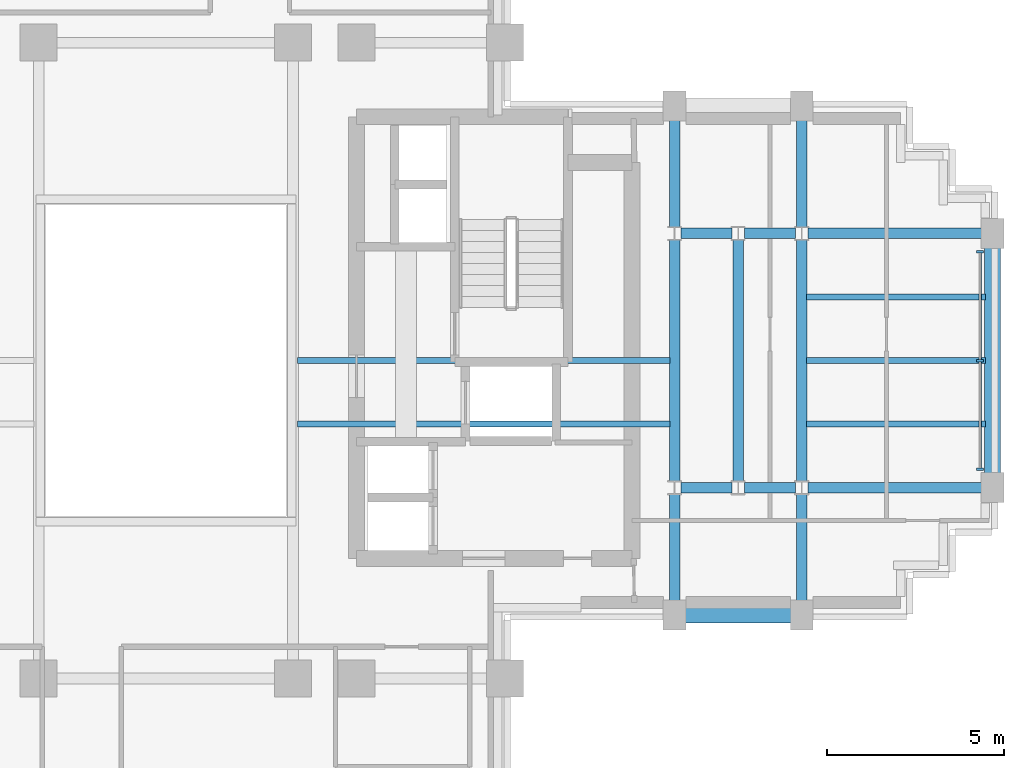
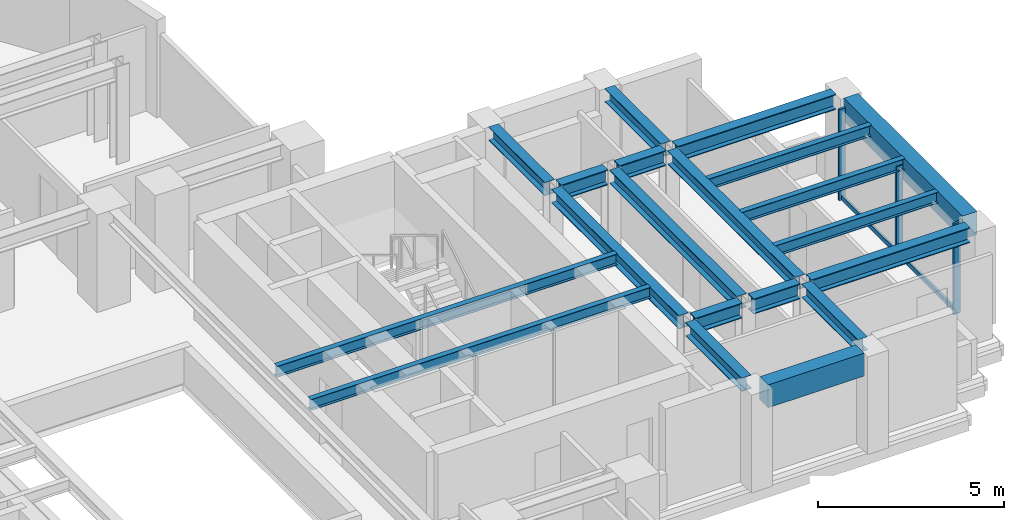
# One storey, part 5 of 14: 20 beams, 5 members, 1 element without a shape of its own.
"""IFC4 building model written with IfcOpenShell, lengths in metres."""

import ifcopenshell
import ifcopenshell.guid

model = None  # the IFC model being written
_history = None  # IfcOwnerHistory: only IFC2X3 demands one
_inside = {}  # id of a spatial element -> (the spatial element, [elements in it])
_under = {}  # id of a project, library or spatial element -> (it, [spatial elements below it])
_declared = {}  # id of a project -> (the project, [libraries it declares])
_typed = {}  # id of a type object -> (the type object, [elements of that type])
_made_of = {}  # id of a material, layer set ... -> (it, [elements and type objects made of it])


def new_model(schema):
    """Start an empty IFC model of exactly this schema.

    Asked for "IFC4X3", IfcOpenShell would pick the latest addendum, in which some entities
    have other attributes; the version numbers below select the first issue.
    IFC2X3 requires an IfcOwnerHistory on every rooted entity: one is made here for all.
    """
    global model, _history
    if schema == "IFC4X3":
        model = ifcopenshell.file(schema_version=(4, 3, 0, 0))
    else:
        model = ifcopenshell.file(schema=schema)
    _inside.clear()
    _under.clear()
    _declared.clear()
    _typed.clear()
    _made_of.clear()
    _history = None
    if model.schema == "IFC2X3":
        org = make("IfcOrganization", Name="unknown")
        user = make(
            "IfcPersonAndOrganization",
            ThePerson=make("IfcPerson", FamilyName="unknown"),
            TheOrganization=org,
        )
        app = make(
            "IfcApplication",
            ApplicationDeveloper=org,
            Version="unknown",
            ApplicationFullName="unknown",
            ApplicationIdentifier="unknown",
        )
        _history = make(
            "IfcOwnerHistory",
            OwningUser=user,
            OwningApplication=app,
            ChangeAction="ADDED",
            CreationDate=0,
        )
    return model


def make(cls, **values):
    """One entity of the class cls with the attributes given. An attribute that is None is left unset."""
    return model.create_entity(
        cls, **{name: value for name, value in values.items() if value is not None}
    )


def rooted(cls, **values):
    """An entity with a GlobalId (a new one), such as an element, a storey or a relation."""
    return make(cls, GlobalId=ifcopenshell.guid.new(), OwnerHistory=_history, **values)


def si_unit(unit_type, name, prefix=None):
    """IfcSIUnit, for example si_unit("LENGTHUNIT", "METRE", prefix="MILLI")."""
    return make("IfcSIUnit", UnitType=unit_type, Prefix=prefix, Name=name)


def assignment(units):
    """IfcUnitAssignment: the units of a project."""
    return None if units is None else make("IfcUnitAssignment", Units=units)


def point(xyz):
    """IfcCartesianPoint."""
    return None if xyz is None else make("IfcCartesianPoint", Coordinates=xyz)


def direction(xyz):
    """IfcDirection."""
    return None if xyz is None else make("IfcDirection", DirectionRatios=xyz)


def frame(location, z_axis=None, x_axis=None):
    """IfcAxis2Placement3D, a coordinate frame: its origin and axes. An axis left out is left unset."""
    return make(
        "IfcAxis2Placement3D",
        Location=point(location),
        Axis=direction(z_axis),
        RefDirection=direction(x_axis),
    )


def frame_2d(location, x_axis=None):
    """IfcAxis2Placement2D, a coordinate frame in the plane: its origin and x axis."""
    return make(
        "IfcAxis2Placement2D", Location=point(location), RefDirection=direction(x_axis)
    )


def origin():
    """The frame at (0, 0, 0) with its axes left unset."""
    return frame((0.0, 0.0, 0.0))


def origin_2d():
    """The frame at (0, 0) in the plane with its x axis left unset."""
    return frame_2d((0.0, 0.0))


def place(relative_to, where):
    """IfcLocalPlacement: puts the frame where relative to a parent placement (None: the world)."""
    return make(
        "IfcLocalPlacement", PlacementRelTo=relative_to, RelativePlacement=where
    )


def context(
    kind, dimensions, precision=None, world=None, true_north=None, identifier=None
):
    """IfcGeometricRepresentationContext, for example the 3D "Model" context."""
    return make(
        "IfcGeometricRepresentationContext",
        ContextIdentifier=identifier,
        ContextType=kind,
        CoordinateSpaceDimension=dimensions,
        Precision=precision,
        WorldCoordinateSystem=world,
        TrueNorth=true_north,
    )


def subcontext(parent, identifier, kind, view, scale=None):
    """IfcGeometricRepresentationSubContext, for example "Body" below "Model"."""
    return make(
        "IfcGeometricRepresentationSubContext",
        ContextIdentifier=identifier,
        ContextType=kind,
        ParentContext=parent,
        TargetScale=scale,
        TargetView=view,
    )


def project(units=None, contexts=None):
    """IfcProject with its units and contexts."""
    return rooted(
        "IfcProject",
        Name="project",
        RepresentationContexts=contexts,
        UnitsInContext=assignment(units),
    )


def spatial(cls, under=None, at=None, **own):
    """A site, building, storey or space (cls), placed at a placement, below another one or the project."""
    s = rooted(cls, ObjectPlacement=at, **own)
    if under is not None:
        _under.setdefault(under.id(), (under, []))[1].append(s)
    return s


def profile(cls, at=None, kind="AREA", **sizes):
    """A parametric profile (cls). Its sizes go by their IFC names, for example OverallWidth=200.0."""
    return make(cls, ProfileType=kind, Position=at, **sizes)


def rectangle(**sizes):
    """IfcRectangleProfileDef."""
    return profile("IfcRectangleProfileDef", **sizes)


def i_section(**sizes):
    """IfcIShapeProfileDef."""
    return profile("IfcIShapeProfileDef", **sizes)


def extrude(swept, where, along, depth):
    """IfcExtrudedAreaSolid: the profile swept, set in the frame where, extruded along a direction by depth."""
    return make(
        "IfcExtrudedAreaSolid",
        SweptArea=swept,
        Position=where,
        ExtrudedDirection=direction(along),
        Depth=depth,
    )


def shape(context_of_items, identifier, shape_type, items):
    """IfcShapeRepresentation: the items that make up one representation, for example the "Body"."""
    return make(
        "IfcShapeRepresentation",
        ContextOfItems=context_of_items,
        RepresentationIdentifier=identifier,
        RepresentationType=shape_type,
        Items=items,
    )


def source(mapping_origin, context_of_items, identifier, shape_type, items):
    """IfcRepresentationMap: a shape defined once, which mapped items show again and again."""
    return make(
        "IfcRepresentationMap",
        MappingOrigin=mapping_origin,
        MappedRepresentation=shape(context_of_items, identifier, shape_type, items),
    )


def transform(
    local_origin,
    x_axis=None,
    y_axis=None,
    z_axis=None,
    scale=None,
    scale2=None,
    scale3=None,
    uniform=True,
):
    """IfcCartesianTransformationOperator3D, or its non-uniform kind. x_axis, y_axis, z_axis: its Axis1, 2, 3."""
    if uniform:
        return make(
            "IfcCartesianTransformationOperator3D",
            Axis1=direction(x_axis),
            Axis2=direction(y_axis),
            LocalOrigin=point(local_origin),
            Scale=scale,
            Axis3=direction(z_axis),
        )
    return make(
        "IfcCartesianTransformationOperator3DnonUniform",
        Axis1=direction(x_axis),
        Axis2=direction(y_axis),
        LocalOrigin=point(local_origin),
        Scale=scale,
        Axis3=direction(z_axis),
        Scale2=scale2,
        Scale3=scale3,
    )


def mapped(mapping_source, mapping_target):
    """IfcMappedItem: shows the shape of a source again, moved by a transform."""
    return make(
        "IfcMappedItem", MappingSource=mapping_source, MappingTarget=mapping_target
    )


def material(Name=None, Category=None):
    """IfcMaterial."""
    return make("IfcMaterial", Name=Name, Category=Category)


def material_profile(
    of_material, cross_section, Name=None, Category=None, Priority=None
):
    """IfcMaterialProfile: a cross section and its material."""
    return make(
        "IfcMaterialProfile",
        Name=Name,
        Material=of_material,
        Profile=cross_section,
        Priority=Priority,
        Category=Category,
    )


def profile_set(profiles, Name=None, composite=None):
    """IfcMaterialProfileSet."""
    return make(
        "IfcMaterialProfileSet",
        Name=Name,
        MaterialProfiles=profiles,
        CompositeProfile=composite,
    )


def made_of(thing, what):
    """Note that an element or type object is made of a material, layer set ...; save() writes the relation."""
    if what is not None:
        _made_of.setdefault(what.id(), (what, []))[1].append(thing)
    return thing


def type_object(cls, material=None, **own):
    """A type object (cls), such as IfcWallType, which elements share."""
    return made_of(rooted(cls, **own), material)


def element(
    cls,
    number,
    at=None,
    inside=None,
    cuts=None,
    type_object=None,
    material=None,
    context=None,
    identifier="Body",
    shape_type=None,
    held_by="IfcProductDefinitionShape",
    body=None,
    shapes=None,
    **own,
):
    """One element of the class cls, such as IfcWall. Its Tag is "e" and its number.

    at: its placement. inside: the storey or other place that contains it. cuts: it is an
    opening in that element (IfcRelVoidsElement). A single representation is given by context,
    identifier, shape_type and body (its items); several are given by shapes. held_by: the class
    of the entity that holds the representations. save() writes the other relations.
    """
    e = rooted(cls, Tag="e%d" % number, ObjectPlacement=at, **own)
    if body is not None:
        shapes = [shape(context, identifier, shape_type, body)]
    if shapes is not None:
        e.Representation = make(held_by, Representations=shapes)
    if inside is not None:
        _inside.setdefault(inside.id(), (inside, []))[1].append(e)
    if cuts is not None:
        rooted(
            "IfcRelVoidsElement", RelatingBuildingElement=cuts, RelatedOpeningElement=e
        )
    if type_object is not None:
        _typed.setdefault(type_object.id(), (type_object, []))[1].append(e)
    return made_of(e, material)


def aggregate(whole, parts):
    """IfcRelAggregates: a whole, such as a stair, and the parts it consists of."""
    return rooted("IfcRelAggregates", RelatingObject=whole, RelatedObjects=parts)


def save(model, path):
    """Write the relations noted so far, then the file.

    IfcRelAggregates (storeys below a building ...), IfcRelContainedInSpatialStructure (elements
    in a storey), IfcRelDefinesByType, IfcRelAssociatesMaterial and IfcRelDeclares: one each for
    every whole, place, type object, material and project.
    """
    for whole, parts in _under.values():
        aggregate(whole, parts)
    for where, things in _inside.values():
        rooted(
            "IfcRelContainedInSpatialStructure",
            RelatedElements=things,
            RelatingStructure=where,
        )
    for kind, things in _typed.values():
        rooted("IfcRelDefinesByType", RelatedObjects=things, RelatingType=kind)
    for what, things in _made_of.values():
        rooted("IfcRelAssociatesMaterial", RelatedObjects=things, RelatingMaterial=what)
    for by, libraries in _declared.values():
        rooted("IfcRelDeclares", RelatingContext=by, RelatedDefinitions=libraries)
    model.write(path)


model = new_model("IFC4")

# Units and contexts
model_context = context("Model", 3, precision=1e-05, world=origin(), true_north=direction((0.0, 1.0)))
body_context = subcontext(model_context, "Body", "Model", "MODEL_VIEW")
ifc_project = project(units=[si_unit("LENGTHUNIT", "METRE"), si_unit("AREAUNIT", "SQUARE_METRE"), si_unit("VOLUMEUNIT", "CUBIC_METRE"), si_unit("PLANEANGLEUNIT", "RADIAN"), si_unit("MASSUNIT", "GRAM", prefix="KILO")], contexts=[model_context])

# Site, building, storey
site_placement = place(None, origin())
site = spatial("IfcSite", under=ifc_project, at=site_placement, CompositionType="ELEMENT")
building_placement = place(site_placement, origin())
building = spatial("IfcBuilding", under=site, at=building_placement, Name="Keilestroom Media Tower", CompositionType="ELEMENT")
storey_placement = place(building_placement, frame((0.0, 0.0, 117.60009765625)))
storey = spatial("IfcBuildingStorey", under=building, at=storey_placement, Name="L31", CompositionType="ELEMENT", Elevation=117.60009765625)

# Beams
ifc_material_1 = material(Name="Steel S355", Category="steel")
ifc_material_profile_1 = material_profile(ifc_material_1, i_section(OverallWidth=0.169921875, OverallDepth=0.360107421875, WebThickness=0.008056640625, FlangeThickness=0.0126953125, at=origin_2d()), Name="IPE 360")
ifc_profile_set_1 = profile_set([ifc_material_profile_1], Name="Steel S355")
beam_type_1 = type_object("IfcBeamType", Name="Secondary-Floor-Joist-IPE-360", PredefinedType="JOIST", material=ifc_profile_set_1)
shared_shape_1 = source(origin(), body_context, "Body", "SweptSolid", [
    extrude(i_section(OverallWidth=0.169921875, OverallDepth=0.360107421875, WebThickness=0.008056640625, FlangeThickness=0.0126953125, at=origin_2d()), origin(), (0.0, 0.0, 1.0), 10.5400390625),
])
for number, where, z_axis, x_axis, name in (
    (1, (3.72998046875, -1.800048828125, 3.02001953125), (1.0, 0.0, 0.0), (0.0, 1.0, 0.0), "L31 Beam BJ-5 JST-L31-074"),
    (2, (3.72998046875, 0.0, 3.02001953125), (1.0, 0.0, 0.0), (0.0, 1.0, 0.0), "L31 Beam BJ-5 JST-L31-079"),
):
    element("IfcBeam", number, at=place(storey_placement, frame(where, z_axis=z_axis, x_axis=x_axis)), inside=storey, type_object=beam_type_1, Name=name, PredefinedType="JOIST", context=body_context, shape_type="MappedRepresentation", body=[
        mapped(shared_shape_1, transform((0.0, 0.0, 0.0), x_axis=(1.0, 0.0, 0.0), y_axis=(0.0, 1.0, 0.0), z_axis=(0.0, 0.0, 1.0), scale=1.0)),
    ])
ifc_material_2 = material(Name="Precast concrete C40/50", Category="concrete")
ifc_material_profile_2 = material_profile(ifc_material_2, rectangle(XDim=0.449951171875, YDim=0.75, at=origin_2d()), Name="PC 450x750")
ifc_profile_set_2 = profile_set([ifc_material_profile_2], Name="Precast concrete C40/50")
beam_type_2 = type_object("IfcBeamType", Name="Perimeter-Spandrel-Beam-PC-450x750", PredefinedType="SPANDREL", material=ifc_profile_set_2)
shared_shape_2 = source(origin(), body_context, "Body", "SweptSolid", [
    extrude(rectangle(XDim=0.449951171875, YDim=0.75, at=origin_2d()), origin(), (0.0, 0.0, 1.0), 2.989990234375),
])
beam_1_placement = place(storey_placement, frame((14.705078125, -7.199951171875, 2.824951171875), z_axis=(1.0, 0.0, 0.0), x_axis=(0.0, 1.0, 0.0)))
element("IfcBeam", 3, at=beam_1_placement, inside=storey, type_object=beam_type_2, Name="L31 Beam SPB-1 BM-L31-EW-013", PredefinedType="SPANDREL", context=body_context, shape_type="MappedRepresentation", body=[
    mapped(shared_shape_2, transform((0.0, 0.0, 0.0), x_axis=(1.0, 0.0, 0.0), y_axis=(0.0, 1.0, 0.0), z_axis=(0.0, 0.0, 1.0), scale=1.0)),
])
ifc_material_profile_3 = material_profile(ifc_material_1, i_section(OverallWidth=0.300048828125, OverallDepth=0.5, WebThickness=0.012451171875, FlangeThickness=0.028076171875, at=origin_2d()), Name="HEB 500")
ifc_profile_set_3 = profile_set([ifc_material_profile_3], Name="Steel S355")
beam_type_3 = type_object("IfcBeamType", Name="Primary-Structural-Girder-HEB-500", PredefinedType="BEAM", material=ifc_profile_set_3)
shared_shape_3 = source(origin(), body_context, "Body", "SweptSolid", [
    extrude(i_section(OverallWidth=0.300048828125, OverallDepth=0.5, WebThickness=0.012451171875, FlangeThickness=0.028076171875, at=origin_2d()), origin(), (0.0, 0.0, 1.0), 4.91455078125),
])
for number, where, z_axis, x_axis, name in (
    (4, (18.180419921875, -3.60009765625, 2.949951171875), (1.0, 0.0, 0.0), (0.0, 1.0, 0.0), "L31 Beam BG-6 BM-L31-EW-019"),
    (5, (18.180419921875, 3.60009765625, 2.949951171875), (1.0, 0.0, 0.0), (0.0, 1.0, 0.0), "L31 Beam BG-6 BM-L31-EW-025"),
):
    element("IfcBeam", number, at=place(storey_placement, frame(where, z_axis=z_axis, x_axis=x_axis)), inside=storey, type_object=beam_type_3, Name=name, PredefinedType="BEAM", context=body_context, shape_type="MappedRepresentation", body=[
        mapped(shared_shape_3, transform((0.0, 0.0, 0.0), x_axis=(1.0, 0.0, 0.0), y_axis=(0.0, 1.0, 0.0), z_axis=(0.0, 0.0, 1.0), scale=1.0)),
    ])
shared_shape_4 = source(origin(), body_context, "Body", "SweptSolid", [
    extrude(i_section(OverallWidth=0.300048828125, OverallDepth=0.5, WebThickness=0.012451171875, FlangeThickness=0.028076171875, at=origin_2d()), origin(), (0.0, 0.0, 1.0), 1.43896484375),
])
for number, where, z_axis, x_axis, name in (
    (6, (14.58056640625, -3.60009765625, 2.949951171875), (1.0, 0.0, 0.0), (0.0, 1.0, 0.0), "L31 Beam BG-6 BM-L31-EW-017"),
    (7, (16.380615234375, -3.60009765625, 2.949951171875), (1.0, 0.0, 0.0), (0.0, 1.0, 0.0), "L31 Beam BG-6 BM-L31-EW-018"),
    (8, (14.58056640625, 3.60009765625, 2.949951171875), (1.0, 0.0, 0.0), (0.0, 1.0, 0.0), "L31 Beam BG-6 BM-L31-EW-023"),
    (9, (16.380615234375, 3.60009765625, 2.949951171875), (1.0, 0.0, 0.0), (0.0, 1.0, 0.0), "L31 Beam BG-6 BM-L31-EW-024"),
):
    element("IfcBeam", number, at=place(storey_placement, frame(where, z_axis=z_axis, x_axis=x_axis)), inside=storey, type_object=beam_type_3, Name=name, PredefinedType="BEAM", context=body_context, shape_type="MappedRepresentation", body=[
        mapped(shared_shape_4, transform((0.0, 0.0, 0.0), x_axis=(1.0, 0.0, 0.0), y_axis=(0.0, 1.0, 0.0), z_axis=(0.0, 0.0, 1.0), scale=1.0)),
    ])
shared_shape_5 = source(origin(), body_context, "Body", "SweptSolid", [
    extrude(rectangle(XDim=0.449951171875, YDim=0.75, at=origin_2d()), origin(), (0.0, 0.0, 1.0), 6.39013671875),
])
beam_2_placement = place(storey_placement, frame((23.39990234375, -3.195068359375, 2.824951171875), z_axis=(0.0, 1.0, 0.0), x_axis=(-1.0, 0.0, 0.0)))
element("IfcBeam", 10, at=beam_2_placement, inside=storey, type_object=beam_type_2, Name="L31 Beam SPB-1 BM-L31-NS-068", PredefinedType="SPANDREL", context=body_context, shape_type="MappedRepresentation", body=[
    mapped(shared_shape_5, transform((0.0, 0.0, 0.0), x_axis=(1.0, 0.0, 0.0), y_axis=(0.0, 1.0, 0.0), z_axis=(0.0, 0.0, 1.0), scale=1.0)),
])
shared_shape_6 = source(origin(), body_context, "Body", "SweptSolid", [
    extrude(i_section(OverallWidth=0.169921875, OverallDepth=0.360107421875, WebThickness=0.008056640625, FlangeThickness=0.0126953125, at=origin_2d()), origin(), (0.0, 0.0, 1.0), 5.065185546875),
])
for number, where, z_axis, x_axis, name in (
    (11, (18.1298828125, -1.800048828125, 3.02001953125), (1.0, 0.0, 0.0), (0.0, 1.0, 0.0), "L31 Beam BJ-5 JST-L31-075"),
    (12, (18.1298828125, 0.0, 3.02001953125), (1.0, 0.0, 0.0), (0.0, 1.0, 0.0), "L31 Beam BJ-5 JST-L31-080"),
    (13, (18.1298828125, 1.800048828125, 3.02001953125), (1.0, 0.0, 0.0), (0.0, 1.0, 0.0), "L31 Beam BJ-5 JST-L31-085"),
):
    element("IfcBeam", number, at=place(storey_placement, frame(where, z_axis=z_axis, x_axis=x_axis)), inside=storey, type_object=beam_type_1, Name=name, PredefinedType="JOIST", context=body_context, shape_type="MappedRepresentation", body=[
        mapped(shared_shape_6, transform((0.0, 0.0, 0.0), x_axis=(1.0, 0.0, 0.0), y_axis=(0.0, 1.0, 0.0), z_axis=(0.0, 0.0, 1.0), scale=1.0)),
    ])
ifc_material_profile_4 = material_profile(ifc_material_1, i_section(OverallWidth=0.300048828125, OverallDepth=0.43994140625, WebThickness=0.011474609375, FlangeThickness=0.02099609375, at=origin_2d()), Name="HEA 450")
ifc_profile_set_4 = profile_set([ifc_material_profile_4], Name="Steel S355")
beam_type_4 = type_object("IfcBeamType", Name="Primary-Structural-Girder-HEA-450", PredefinedType="BEAM", material=ifc_profile_set_4)
shared_shape_7 = source(origin(), body_context, "Body", "SweptSolid", [
    extrude(i_section(OverallWidth=0.300048828125, OverallDepth=0.43994140625, WebThickness=0.011474609375, FlangeThickness=0.02099609375, at=origin_2d()), origin(), (0.0, 0.0, 1.0), 3.015380859375),
])
for number, where, z_axis, x_axis, name in (
    (14, (14.39990234375, -6.794921875, 2.97998046875), (0.0, 1.0, 0.0), (-1.0, 0.0, 0.0), "L31 Beam BG-11 BM-L31-NS-061"),
    (15, (14.39990234375, 3.779541015625, 2.97998046875), (0.0, 1.0, 0.0), (-1.0, 0.0, 0.0), "L31 Beam BG-11 BM-L31-NS-063"),
    (16, (18.0, -6.794921875, 2.97998046875), (0.0, 1.0, 0.0), (-1.0, 0.0, 0.0), "L31 Beam BG-11 BM-L31-NS-065"),
    (17, (18.0, 3.779541015625, 2.97998046875), (0.0, 1.0, 0.0), (-1.0, 0.0, 0.0), "L31 Beam BG-11 BM-L31-NS-067"),
):
    element("IfcBeam", number, at=place(storey_placement, frame(where, z_axis=z_axis, x_axis=x_axis)), inside=storey, type_object=beam_type_4, Name=name, PredefinedType="BEAM", context=body_context, shape_type="MappedRepresentation", body=[
        mapped(shared_shape_7, transform((0.0, 0.0, 0.0), x_axis=(1.0, 0.0, 0.0), y_axis=(0.0, 1.0, 0.0), z_axis=(0.0, 0.0, 1.0), scale=1.0)),
    ])
shared_shape_8 = source(origin(), body_context, "Body", "SweptSolid", [
    extrude(i_section(OverallWidth=0.300048828125, OverallDepth=0.43994140625, WebThickness=0.011474609375, FlangeThickness=0.02099609375, at=origin_2d()), origin(), (0.0, 0.0, 1.0), 6.8408203125),
])
for number, where, z_axis, x_axis, name in (
    (18, (14.39990234375, -3.42041015625, 2.97998046875), (0.0, 1.0, 0.0), (-1.0, 0.0, 0.0), "L31 Beam BG-11 BM-L31-NS-062"),
    (19, (16.199951171875, -3.42041015625, 2.97998046875), (0.0, 1.0, 0.0), (-1.0, 0.0, 0.0), "L31 Beam BG-11 BM-L31-NS-064"),
    (20, (18.0, -3.42041015625, 2.97998046875), (0.0, 1.0, 0.0), (-1.0, 0.0, 0.0), "L31 Beam BG-11 BM-L31-NS-066"),
):
    element("IfcBeam", number, at=place(storey_placement, frame(where, z_axis=z_axis, x_axis=x_axis)), inside=storey, type_object=beam_type_4, Name=name, PredefinedType="BEAM", context=body_context, shape_type="MappedRepresentation", body=[
        mapped(shared_shape_8, transform((0.0, 0.0, 0.0), x_axis=(1.0, 0.0, 0.0), y_axis=(0.0, 1.0, 0.0), z_axis=(0.0, 0.0, 1.0), scale=1.0)),
    ])

# Curtain wall, members
ifc_material_3 = material(Name="Anodised Aluminium Alloy", Category="aluminium")
curtain_wall_type = type_object("IfcCurtainWallType", Name="Unitised-Curtain-Wall-CW-2", PredefinedType="NOTDEFINED", material=ifc_material_3)
curtain_wall_placement = place(storey_placement, origin())
curtain_wall = element("IfcCurtainWall", 21, at=curtain_wall_placement, inside=storey, type_object=curtain_wall_type, Name="L31 Curtain Wall CW-2 CW-L31-E-1", PredefinedType="NOTDEFINED")
ifc_material_profile_5 = material_profile(ifc_material_3, rectangle(XDim=0.070068359375, YDim=0.199951171875, at=origin_2d()), Name="ALU MULLION 70x200")
ifc_profile_set_5 = profile_set([ifc_material_profile_5], Name="Anodised Aluminium Alloy")
member_type_1 = type_object("IfcMemberType", Name="Curtain-Wall-Mullion-CW-2", PredefinedType="MULLION", material=ifc_profile_set_5)
shared_shape_9 = source(origin(), body_context, "Body", "SweptSolid", [
    extrude(rectangle(XDim=0.070068359375, YDim=0.199951171875, at=origin_2d()), origin(), (0.0, 0.0, 1.0), 2.97998046875),
])
member_1_placement = place(storey_placement, frame((23.050048828125, -3.080078125, 0.0), z_axis=(0.0, 0.0, 1.0), x_axis=(0.0, 1.0, 0.0)))
member_1 = element("IfcMember", 22, at=member_1_placement, type_object=member_type_1, Name="CW-2 Mullion 00", PredefinedType="MULLION", context=body_context, shape_type="MappedRepresentation", body=[
    mapped(shared_shape_9, transform((0.0, 0.0, 0.0), x_axis=(1.0, 0.0, 0.0), y_axis=(0.0, 1.0, 0.0), z_axis=(0.0, 0.0, 1.0), scale=1.0)),
])
member_2_placement = place(storey_placement, frame((23.050048828125, 0.0, 0.0), z_axis=(0.0, 0.0, 1.0), x_axis=(0.0, 1.0, 0.0)))
member_2 = element("IfcMember", 23, at=member_2_placement, type_object=member_type_1, Name="CW-2 Mullion 01", PredefinedType="MULLION", context=body_context, shape_type="MappedRepresentation", body=[
    mapped(shared_shape_9, transform((0.0, 0.0, 0.0), x_axis=(1.0, 0.0, 0.0), y_axis=(0.0, 1.0, 0.0), z_axis=(0.0, 0.0, 1.0), scale=1.0)),
])
member_3_placement = place(storey_placement, frame((23.050048828125, 3.080078125, 0.0), z_axis=(0.0, 0.0, 1.0), x_axis=(0.0, 1.0, 0.0)))
member_3 = element("IfcMember", 24, at=member_3_placement, type_object=member_type_1, Name="CW-2 Mullion 02", PredefinedType="MULLION", context=body_context, shape_type="MappedRepresentation", body=[
    mapped(shared_shape_9, transform((0.0, 0.0, 0.0), x_axis=(1.0, 0.0, 0.0), y_axis=(0.0, 1.0, 0.0), z_axis=(0.0, 0.0, 1.0), scale=1.0)),
])
ifc_material_profile_6 = material_profile(ifc_material_3, rectangle(XDim=0.06494140625, YDim=0.14990234375, at=origin_2d()), Name="ALU TRANSOM 65x150")
ifc_profile_set_6 = profile_set([ifc_material_profile_6], Name="Anodised Aluminium Alloy")
member_type_2 = type_object("IfcMemberType", Name="Curtain-Wall-Transom-CW-2", PredefinedType="USERDEFINED", material=ifc_profile_set_6)
shared_shape_10 = source(origin(), body_context, "Body", "SweptSolid", [
    extrude(rectangle(XDim=0.06494140625, YDim=0.14990234375, at=origin_2d()), origin(), (0.0, 0.0, 1.0), 3.01416015625),
])
member_4_placement = place(storey_placement, frame((23.050048828125, -3.047119140625, 0.074951171875), z_axis=(0.0, 1.0, 0.0), x_axis=(-1.0, 0.0, 0.0)))
member_4 = element("IfcMember", 25, at=member_4_placement, type_object=member_type_2, Name="CW-2 Transom 00.1", ObjectType="TRANSOM", PredefinedType="USERDEFINED", context=body_context, shape_type="MappedRepresentation", body=[
    mapped(shared_shape_10, transform((0.0, 0.0, 0.0), x_axis=(1.0, 0.0, 0.0), y_axis=(0.0, 1.0, 0.0), z_axis=(0.0, 0.0, 1.0), scale=1.0)),
])
member_5_placement = place(storey_placement, frame((23.050048828125, 0.032958984375, 0.074951171875), z_axis=(0.0, 1.0, 0.0), x_axis=(-1.0, 0.0, 0.0)))
member_5 = element("IfcMember", 26, at=member_5_placement, type_object=member_type_2, Name="CW-2 Transom 01.1", ObjectType="TRANSOM", PredefinedType="USERDEFINED", context=body_context, shape_type="MappedRepresentation", body=[
    mapped(shared_shape_10, transform((0.0, 0.0, 0.0), x_axis=(1.0, 0.0, 0.0), y_axis=(0.0, 1.0, 0.0), z_axis=(0.0, 0.0, 1.0), scale=1.0)),
])
aggregate(curtain_wall, [member_1, member_2, member_3, member_4, member_5])

save(model, "model.ifc")
